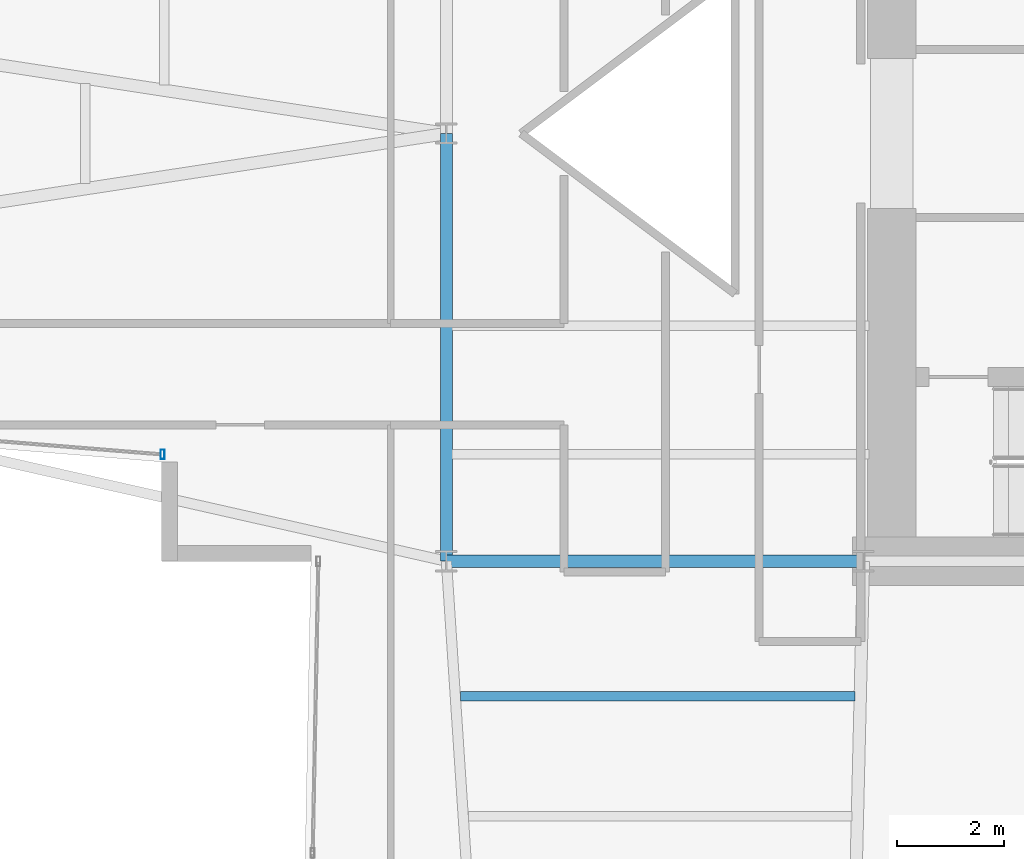
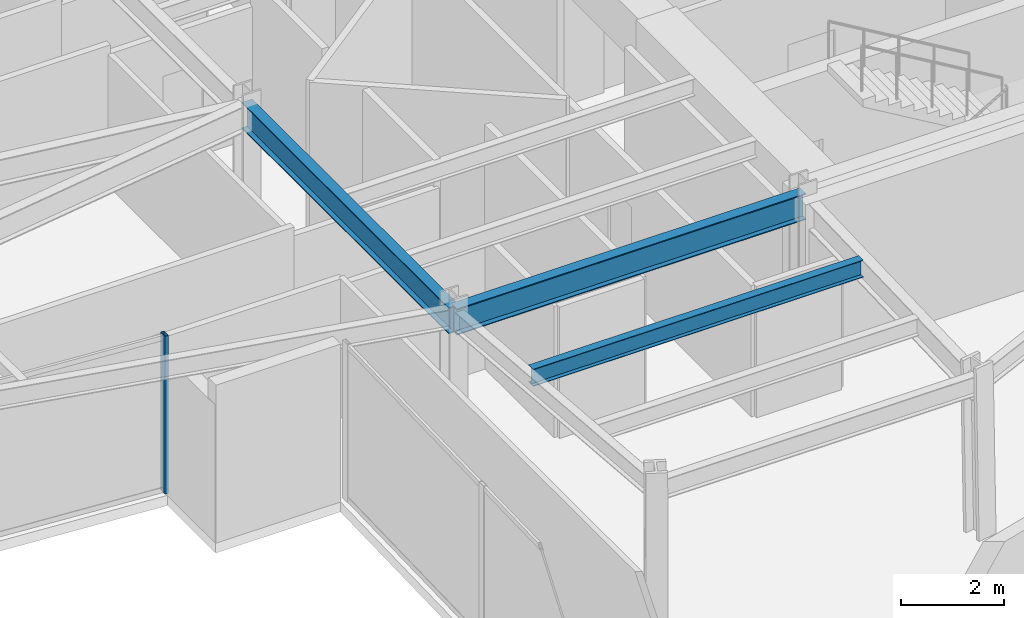
# One storey, part 5 of 25: 3 beams, 1 member, 1 element without a shape of its own.
"""IFC4 building model written with IfcOpenShell, lengths in metres."""

from ifc_helpers import new_model, si_unit, direction, frame, origin, origin_2d, place, context, subcontext, project, spatial, hollow_rectangle, i_section, extrude, material, layer, layer_set, material_profile, profile_set, type_object, element, aggregate, save


model = new_model("IFC4")

# Units and contexts
model_context = context("Model", 3, precision=1e-05, world=origin(), true_north=direction((0.0, 1.0)))
body_context = subcontext(model_context, "Body", "Model", "MODEL_VIEW")
ifc_project = project(units=[si_unit("LENGTHUNIT", "METRE"), si_unit("AREAUNIT", "SQUARE_METRE"), si_unit("VOLUMEUNIT", "CUBIC_METRE"), si_unit("PLANEANGLEUNIT", "RADIAN"), si_unit("MASSUNIT", "GRAM", prefix="KILO")], contexts=[model_context])

# Site, building, storey
site_placement = place(None, origin())
site = spatial("IfcSite", under=ifc_project, at=site_placement, CompositionType="ELEMENT")
building_placement = place(site_placement, origin())
building = spatial("IfcBuilding", under=site, at=building_placement, Name="Veymaron Broadcast Tower", CompositionType="ELEMENT")
storey_placement = place(building_placement, frame((0.0, 0.0, 102.60009765625)))
storey = spatial("IfcBuildingStorey", under=building, at=storey_placement, Name="L23", CompositionType="ELEMENT", Elevation=102.60009765625)

# Beams
ifc_material_1 = material(Name="Structural steel ASTM A992 Gr 50", Category="steel")
ifc_material_profile_1 = material_profile(ifc_material_1, i_section(OverallWidth=0.22998046875, OverallDepth=0.616943359375, WebThickness=0.01318359375, FlangeThickness=0.022216796875, at=origin_2d()), Name="W610X140")
ifc_profile_set_1 = profile_set([ifc_material_profile_1], Name="Structural steel ASTM A992 Gr 50")
beam_type_1 = type_object("IfcBeamType", Name="BM-FG1", PredefinedType="BEAM", material=ifc_profile_set_1)
beam_1_placement = place(storey_placement, frame((31.199951171875, 16.0, 3.42138671875), z_axis=(0.0, 1.0, 0.0), x_axis=(-1.0, 0.0, 0.0)))
element("IfcBeam", 1, at=beam_1_placement, inside=storey, type_object=beam_type_1, Name="L23 primary structural floor girder", PredefinedType="BEAM", context=body_context, shape_type="SweptSolid", body=[
    extrude(i_section(OverallWidth=0.22998046875, OverallDepth=0.616943359375, WebThickness=0.01318359375, FlangeThickness=0.022216796875, at=origin_2d()), origin(), (0.0, 0.0, 1.0), 8.0),
])
beam_2_placement = place(storey_placement, frame((31.199951171875, 16.0, 3.42138671875), z_axis=(1.0, 0.0, 0.0), x_axis=(0.0, 1.0, 0.0)))
element("IfcBeam", 2, at=beam_2_placement, inside=storey, type_object=beam_type_1, Name="L23 primary structural floor girder", PredefinedType="BEAM", context=body_context, shape_type="SweptSolid", body=[
    extrude(i_section(OverallWidth=0.22998046875, OverallDepth=0.616943359375, WebThickness=0.01318359375, FlangeThickness=0.022216796875, at=origin_2d()), origin(), (0.0, 0.0, 1.0), 7.800048828125),
])
ifc_material_profile_2 = material_profile(ifc_material_1, i_section(OverallWidth=0.177978515625, OverallDepth=0.406982421875, WebThickness=0.0078125, FlangeThickness=0.0126953125, at=origin_2d()), Name="W410X60")
ifc_profile_set_2 = profile_set([ifc_material_profile_2], Name="Structural steel ASTM A992 Gr 50")
beam_type_2 = type_object("IfcBeamType", Name="BM-JS1", PredefinedType="JOIST", material=ifc_profile_set_2)
beam_3_placement = place(storey_placement, frame((31.46630859375, 13.476318359375, 3.5263671875), z_axis=(1.0, 0.0, 0.0), x_axis=(0.0, 1.0, 0.0)))
element("IfcBeam", 3, at=beam_3_placement, inside=storey, type_object=beam_type_2, Name="L23 Arm-C secondary joist 1", PredefinedType="JOIST", context=body_context, shape_type="SweptSolid", body=[
    extrude(i_section(OverallWidth=0.177978515625, OverallDepth=0.406982421875, WebThickness=0.0078125, FlangeThickness=0.0126953125, at=origin_2d()), origin(), (0.0, 0.0, 1.0), 7.374267578125),
])

# Curtain wall, member
ifc_material_2 = material(Name="Anodised aluminium AA 6063-T6 and laminated low-E dark glass", Category="aluminium")
ifc_layer = layer(ifc_material_2, 0.179931640625)
ifc_layer_set = layer_set([ifc_layer], Name="Anodised aluminium AA 6063-T6 and laminated low-E dark glass")
curtain_wall_type = type_object("IfcCurtainWallType", Name="CW-SYS-02", PredefinedType="NOTDEFINED", material=ifc_layer_set)
curtain_wall_placement = place(storey_placement, origin())
curtain_wall = element("IfcCurtainWall", 4, at=curtain_wall_placement, inside=storey, type_object=curtain_wall_type, Name="L23 dark-glass curtain wall CW-L23-E14-1", PredefinedType="NOTDEFINED")
ifc_material_3 = material(Name="Anodised aluminium AA 6063-T6", Category="aluminium")
ifc_material_profile_3 = material_profile(ifc_material_3, hollow_rectangle(XDim=0.074951171875, YDim=0.179931640625, WallThickness=0.0048828125, at=origin_2d()), Name="AL180X75X5")
ifc_profile_set_3 = profile_set([ifc_material_profile_3], Name="Anodised aluminium AA 6063-T6")
member_type = type_object("IfcMemberType", Name="CW-MUL-02", PredefinedType="MULLION", material=ifc_profile_set_3)
member_placement = place(storey_placement, frame((25.891357421875, 17.9970703125, 0.0), z_axis=(0.0, 0.0, 1.0), x_axis=(1.0, 0.0, 0.0)))
member = element("IfcMember", 5, at=member_placement, type_object=member_type, Name="CW-L23-E14-1 mullion 2", PredefinedType="MULLION", context=body_context, shape_type="SweptSolid", body=[
    extrude(hollow_rectangle(XDim=0.074951171875, YDim=0.179931640625, WallThickness=0.0048828125, at=origin_2d()), origin(), (0.0, 0.0, 1.0), 3.72998046875),
])
aggregate(curtain_wall, [member])

save(model, "model.ifc")
